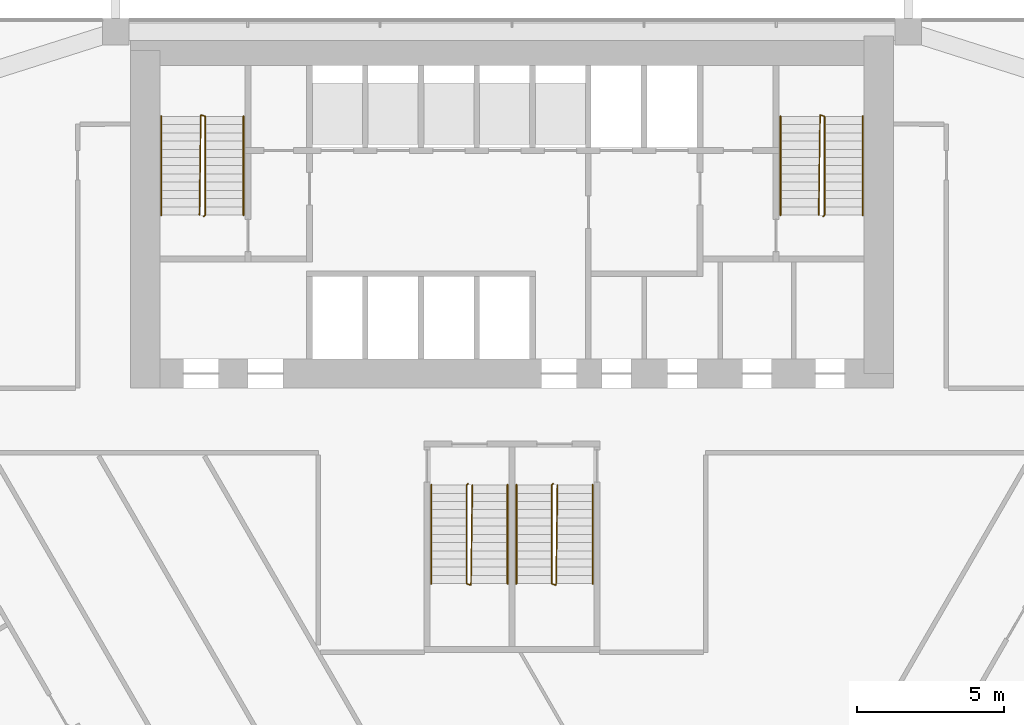
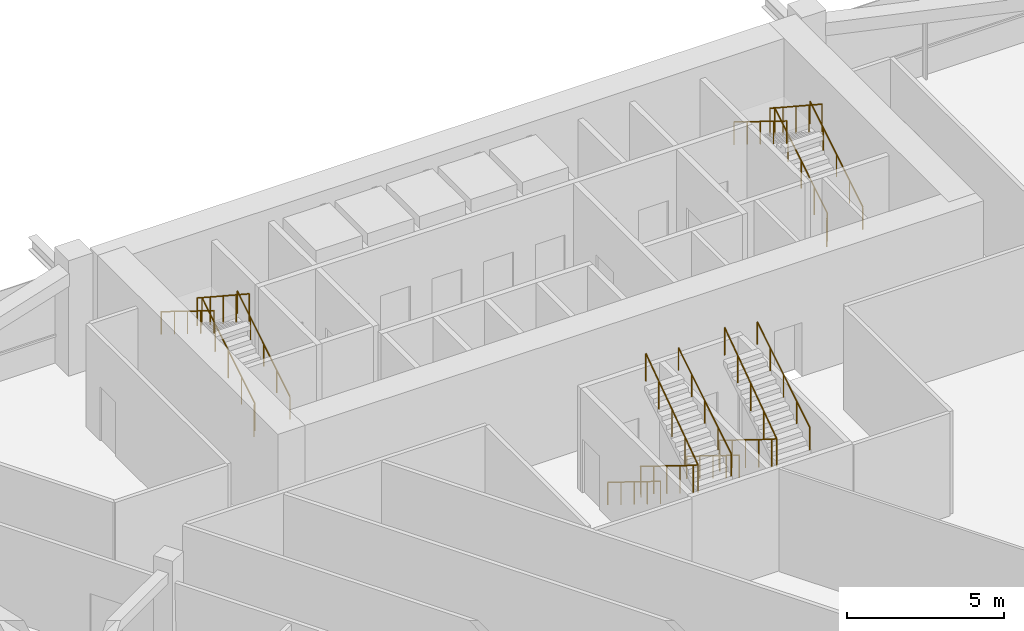
# One storey, part 13 of 15: 12 railings.
"""IFC4 building model written with IfcOpenShell, lengths in metres."""

from ifc_helpers import new_model, si_unit, direction, frame, origin, origin_2d, place, context, subcontext, project, spatial, circle, extrude, material, type_object, element, save


model = new_model("IFC4")

# Units and contexts
model_context = context("Model", 3, precision=1e-05, world=origin(), true_north=direction((0.0, 1.0)))
body_context = subcontext(model_context, "Body", "Model", "MODEL_VIEW")
ifc_project = project(units=[si_unit("LENGTHUNIT", "METRE"), si_unit("AREAUNIT", "SQUARE_METRE"), si_unit("VOLUMEUNIT", "CUBIC_METRE"), si_unit("PLANEANGLEUNIT", "RADIAN"), si_unit("MASSUNIT", "GRAM", prefix="KILO")], contexts=[model_context])

# Site, building, storey
site_placement = place(None, origin())
site = spatial("IfcSite", under=ifc_project, at=site_placement, CompositionType="ELEMENT")
building_placement = place(site_placement, origin())
building = spatial("IfcBuilding", under=site, at=building_placement, Name="Altiplano Prism Tower", CompositionType="ELEMENT")
storey_placement = place(building_placement, frame((0.0, 0.0, 22.5)))
storey = spatial("IfcBuildingStorey", under=building, at=storey_placement, Name="L04", CompositionType="ELEMENT", Elevation=22.5)

# Railings
ifc_material = material(Name="Steel S355", Category="steel")
railing_type_1 = type_object("IfcRailingType", Name="Stair guard 1100", PredefinedType="GUARDRAIL", material=ifc_material)
railing_1_placement = place(storey_placement, frame((74.5, 98.25, 0.0)))
element("IfcRailing", 1, at=railing_1_placement, inside=storey, type_object=railing_type_1, Name="L04 ST1 stair guard 1", PredefinedType="GUARDRAIL", context=body_context, shape_type="SweptSolid", body=[
    extrude(circle(Radius=0.02392578125, at=origin_2d()), frame((0.0, 0.0, 1.076171875), z_axis=(0.267629722418, 0.267629722418, 0.925607186314), x_axis=(-0.707106781187, 0.707106781187, 0.0)), (0.0, 0.0, 1.0), 0.18701171875),
    extrude(circle(Radius=0.02392578125, at=origin_2d()), frame((0.050048828125, 0.050048828125, 1.2490234375), z_axis=(0.0, 0.850606129759, 0.525803396734), x_axis=(-1.0, 0.0, 0.0)), (0.0, 0.0, 1.0), 3.949951171875),
    extrude(circle(Radius=0.02392578125, at=origin_2d()), frame((0.050048828125, 3.409912109375, 3.326171875), z_axis=(-0.948683298051, 0.316227766017, 0.0), x_axis=(-0.316227766017, -0.948683298051, 0.0)), (0.0, 0.0, 1.0), 0.158203125),
    extrude(circle(Radius=0.02392578125, at=origin_2d()), frame((-0.10009765625, 3.4599609375, 3.326171875), z_axis=(-0.0121901703, -0.834608375372, 0.55070887001), x_axis=(0.999893351539, -0.01460429897, 0.0)), (0.0, 0.0, 1.0), 4.085693359375),
    extrude(circle(Radius=0.02099609375, at=origin_2d()), origin(), (0.0, 0.0, 1.0), 1.052001953125),
    extrude(circle(Radius=0.02099609375, at=origin_2d()), frame((0.050048828125, 0.050048828125, 0.173095703125)), (0.0, 0.0, 1.0), 1.052001953125),
    extrude(circle(Radius=0.02099609375, at=origin_2d()), frame((0.050048828125, 0.89013671875, 0.6923828125)), (0.0, 0.0, 1.0), 1.052001953125),
    extrude(circle(Radius=0.02099609375, at=origin_2d()), frame((0.050048828125, 1.72998046875, 1.21142578125)), (0.0, 0.0, 1.0), 1.052001953125),
    extrude(circle(Radius=0.02099609375, at=origin_2d()), frame((0.050048828125, 2.56982421875, 1.730712890625)), (0.0, 0.0, 1.0), 1.052001953125),
    extrude(circle(Radius=0.02099609375, at=origin_2d()), frame((0.050048828125, 3.409912109375, 2.25)), (0.0, 0.0, 1.0), 1.052001953125),
    extrude(circle(Radius=0.02099609375, at=origin_2d()), frame((-0.10009765625, 3.4599609375, 2.25)), (0.0, 0.0, 1.0), 1.052001953125),
    extrude(circle(Radius=0.02099609375, at=origin_2d()), frame((-0.112548828125, 2.607421875, 2.8125)), (0.0, 0.0, 1.0), 1.052001953125),
    extrude(circle(Radius=0.02099609375, at=origin_2d()), frame((-0.125, 1.7548828125, 3.375)), (0.0, 0.0, 1.0), 1.052001953125),
    extrude(circle(Radius=0.02099609375, at=origin_2d()), frame((-0.137451171875, 0.902587890625, 3.9375)), (0.0, 0.0, 1.0), 1.052001953125),
    extrude(circle(Radius=0.02099609375, at=origin_2d()), frame((-0.14990234375, 0.050048828125, 4.5)), (0.0, 0.0, 1.0), 1.052001953125),
])
railing_2_placement = place(storey_placement, frame((95.60009765625, 98.25, 0.0)))
element("IfcRailing", 2, at=railing_2_placement, inside=storey, type_object=railing_type_1, Name="L04 ST2 stair guard 1", PredefinedType="GUARDRAIL", context=body_context, shape_type="SweptSolid", body=[
    extrude(circle(Radius=0.02392578125, at=origin_2d()), frame((0.0, 0.0, 1.076171875), z_axis=(0.266417085129, 0.267723051232, 0.925929967433), x_axis=(-0.708833529934, 0.705375805398, 0.0)), (0.0, 0.0, 1.0), 0.18701171875),
    extrude(circle(Radius=0.02392578125, at=origin_2d()), frame((0.0498046875, 0.050048828125, 1.2490234375), z_axis=(0.0, 0.850606129759, 0.525803396734), x_axis=(-1.0, 0.0, 0.0)), (0.0, 0.0, 1.0), 3.949951171875),
    extrude(circle(Radius=0.02392578125, at=origin_2d()), frame((0.0498046875, 3.409912109375, 3.326171875), z_axis=(-0.948528701346, 0.316691178788, 0.0), x_axis=(-0.316691178788, -0.948528701346, 0.0)), (0.0, 0.0, 1.0), 0.157958984375),
    extrude(circle(Radius=0.02392578125, at=origin_2d()), frame((-0.10009765625, 3.4599609375, 3.326171875), z_axis=(-0.012249917091, -0.834607765926, 0.550708467873), x_axis=(0.999892303572, -0.014675873289, 0.0)), (0.0, 0.0, 1.0), 4.085693359375),
    extrude(circle(Radius=0.02099609375, at=origin_2d()), origin(), (0.0, 0.0, 1.0), 1.052001953125),
    extrude(circle(Radius=0.02099609375, at=origin_2d()), frame((0.0498046875, 0.050048828125, 0.173095703125)), (0.0, 0.0, 1.0), 1.052001953125),
    extrude(circle(Radius=0.02099609375, at=origin_2d()), frame((0.0498046875, 0.89013671875, 0.6923828125)), (0.0, 0.0, 1.0), 1.052001953125),
    extrude(circle(Radius=0.02099609375, at=origin_2d()), frame((0.0498046875, 1.72998046875, 1.21142578125)), (0.0, 0.0, 1.0), 1.052001953125),
    extrude(circle(Radius=0.02099609375, at=origin_2d()), frame((0.0498046875, 2.56982421875, 1.730712890625)), (0.0, 0.0, 1.0), 1.052001953125),
    extrude(circle(Radius=0.02099609375, at=origin_2d()), frame((0.0498046875, 3.409912109375, 2.25)), (0.0, 0.0, 1.0), 1.052001953125),
    extrude(circle(Radius=0.02099609375, at=origin_2d()), frame((-0.10009765625, 3.4599609375, 2.25)), (0.0, 0.0, 1.0), 1.052001953125),
    extrude(circle(Radius=0.02099609375, at=origin_2d()), frame((-0.112548828125, 2.607421875, 2.8125)), (0.0, 0.0, 1.0), 1.052001953125),
    extrude(circle(Radius=0.02099609375, at=origin_2d()), frame((-0.125, 1.7548828125, 3.375)), (0.0, 0.0, 1.0), 1.052001953125),
    extrude(circle(Radius=0.02099609375, at=origin_2d()), frame((-0.1376953125, 0.902587890625, 3.9375)), (0.0, 0.0, 1.0), 1.052001953125),
    extrude(circle(Radius=0.02099609375, at=origin_2d()), frame((-0.150146484375, 0.050048828125, 4.5)), (0.0, 0.0, 1.0), 1.052001953125),
])
railing_3_placement = place(storey_placement, frame((83.5, 89.14990234375, 0.0)))
element("IfcRailing", 3, at=railing_3_placement, inside=storey, type_object=railing_type_1, Name="L04 ST3A stair guard 1", PredefinedType="GUARDRAIL", context=body_context, shape_type="SweptSolid", body=[
    extrude(circle(Radius=0.02392578125, at=origin_2d()), frame((0.0, 0.0, 1.076171875), z_axis=(-0.267723051232, -0.266417085129, 0.925929967433), x_axis=(0.705375805398, -0.708833529934, 0.0)), (0.0, 0.0, 1.0), 0.18701171875),
    extrude(circle(Radius=0.02392578125, at=origin_2d()), frame((-0.050048828125, -0.0498046875, 1.2490234375), z_axis=(0.0, -0.850623216509, 0.525775754039), x_axis=(1.0, 0.0, 0.0)), (0.0, 0.0, 1.0), 3.9501953125),
    extrude(circle(Radius=0.02392578125, at=origin_2d()), frame((-0.050048828125, -3.409912109375, 3.326171875), z_axis=(0.948683298051, -0.316227766017, 0.0), x_axis=(0.316227766017, 0.948683298051, 0.0)), (0.0, 0.0, 1.0), 0.158203125),
    extrude(circle(Radius=0.02392578125, at=origin_2d()), frame((0.10009765625, -3.4599609375, 3.326171875), z_axis=(0.012189562367, 0.83462650563, 0.550681405777), x_axis=(-0.999893366806, 0.014603253639, 0.0)), (0.0, 0.0, 1.0), 4.0859375),
    extrude(circle(Radius=0.02099609375, at=origin_2d()), origin(), (0.0, 0.0, 1.0), 1.052001953125),
    extrude(circle(Radius=0.02099609375, at=origin_2d()), frame((-0.050048828125, -0.0498046875, 0.173095703125)), (0.0, 0.0, 1.0), 1.052001953125),
    extrude(circle(Radius=0.02099609375, at=origin_2d()), frame((-0.050048828125, -0.889892578125, 0.6923828125)), (0.0, 0.0, 1.0), 1.052001953125),
    extrude(circle(Radius=0.02099609375, at=origin_2d()), frame((-0.050048828125, -1.72998046875, 1.21142578125)), (0.0, 0.0, 1.0), 1.052001953125),
    extrude(circle(Radius=0.02099609375, at=origin_2d()), frame((-0.050048828125, -2.56982421875, 1.730712890625)), (0.0, 0.0, 1.0), 1.052001953125),
    extrude(circle(Radius=0.02099609375, at=origin_2d()), frame((-0.050048828125, -3.409912109375, 2.25)), (0.0, 0.0, 1.0), 1.052001953125),
    extrude(circle(Radius=0.02099609375, at=origin_2d()), frame((0.10009765625, -3.4599609375, 2.25)), (0.0, 0.0, 1.0), 1.052001953125),
    extrude(circle(Radius=0.02099609375, at=origin_2d()), frame((0.112548828125, -2.607421875, 2.8125)), (0.0, 0.0, 1.0), 1.052001953125),
    extrude(circle(Radius=0.02099609375, at=origin_2d()), frame((0.125, -1.7548828125, 3.375)), (0.0, 0.0, 1.0), 1.052001953125),
    extrude(circle(Radius=0.02099609375, at=origin_2d()), frame((0.137451171875, -0.90234375, 3.9375)), (0.0, 0.0, 1.0), 1.052001953125),
    extrude(circle(Radius=0.02099609375, at=origin_2d()), frame((0.14990234375, -0.0498046875, 4.5)), (0.0, 0.0, 1.0), 1.052001953125),
])
railing_4_placement = place(storey_placement, frame((86.39990234375, 89.14990234375, 0.0)))
element("IfcRailing", 4, at=railing_4_placement, inside=storey, type_object=railing_type_1, Name="L04 ST3B stair guard 1", PredefinedType="GUARDRAIL", context=body_context, shape_type="SweptSolid", body=[
    extrude(circle(Radius=0.02392578125, at=origin_2d()), frame((0.0, 0.0, 1.076171875), z_axis=(-0.26651005591, -0.26651005591, 0.926253086471), x_axis=(0.707106781187, -0.707106781187, 0.0)), (0.0, 0.0, 1.0), 0.186767578125),
    extrude(circle(Radius=0.02392578125, at=origin_2d()), frame((-0.0498046875, -0.0498046875, 1.2490234375), z_axis=(0.0, -0.850623216509, 0.525775754039), x_axis=(1.0, 0.0, 0.0)), (0.0, 0.0, 1.0), 3.9501953125),
    extrude(circle(Radius=0.02392578125, at=origin_2d()), frame((-0.0498046875, -3.409912109375, 3.326171875), z_axis=(0.948528701346, -0.316691178788, 0.0), x_axis=(0.316691178788, 0.948528701346, 0.0)), (0.0, 0.0, 1.0), 0.157958984375),
    extrude(circle(Radius=0.02392578125, at=origin_2d()), frame((0.10009765625, -3.4599609375, 3.326171875), z_axis=(0.01224930618, 0.834625896233, 0.5506810037), x_axis=(-0.99989231899, 0.014674822837, 0.0)), (0.0, 0.0, 1.0), 4.0859375),
    extrude(circle(Radius=0.02099609375, at=origin_2d()), origin(), (0.0, 0.0, 1.0), 1.052001953125),
    extrude(circle(Radius=0.02099609375, at=origin_2d()), frame((-0.0498046875, -0.0498046875, 0.173095703125)), (0.0, 0.0, 1.0), 1.052001953125),
    extrude(circle(Radius=0.02099609375, at=origin_2d()), frame((-0.0498046875, -0.889892578125, 0.6923828125)), (0.0, 0.0, 1.0), 1.052001953125),
    extrude(circle(Radius=0.02099609375, at=origin_2d()), frame((-0.0498046875, -1.72998046875, 1.21142578125)), (0.0, 0.0, 1.0), 1.052001953125),
    extrude(circle(Radius=0.02099609375, at=origin_2d()), frame((-0.0498046875, -2.56982421875, 1.730712890625)), (0.0, 0.0, 1.0), 1.052001953125),
    extrude(circle(Radius=0.02099609375, at=origin_2d()), frame((-0.0498046875, -3.409912109375, 2.25)), (0.0, 0.0, 1.0), 1.052001953125),
    extrude(circle(Radius=0.02099609375, at=origin_2d()), frame((0.10009765625, -3.4599609375, 2.25)), (0.0, 0.0, 1.0), 1.052001953125),
    extrude(circle(Radius=0.02099609375, at=origin_2d()), frame((0.112548828125, -2.607421875, 2.8125)), (0.0, 0.0, 1.0), 1.052001953125),
    extrude(circle(Radius=0.02099609375, at=origin_2d()), frame((0.125, -1.7548828125, 3.375)), (0.0, 0.0, 1.0), 1.052001953125),
    extrude(circle(Radius=0.02099609375, at=origin_2d()), frame((0.1376953125, -0.90234375, 3.9375)), (0.0, 0.0, 1.0), 1.052001953125),
    extrude(circle(Radius=0.02099609375, at=origin_2d()), frame((0.150146484375, -0.0498046875, 4.5)), (0.0, 0.0, 1.0), 1.052001953125),
])
railing_type_2 = type_object("IfcRailingType", Name="Stair handrail 900", PredefinedType="HANDRAIL", material=ifc_material)
railing_5_placement = place(storey_placement, frame((75.85009765625, 98.300048828125, 0.173095703125)))
element("IfcRailing", 5, at=railing_5_placement, inside=storey, type_object=railing_type_2, Name="L04 ST1 stair handrail 1", PredefinedType="HANDRAIL", context=body_context, shape_type="SweptSolid", body=[
    extrude(circle(Radius=0.02392578125, at=origin_2d()), frame((0.0, 0.0, 0.8759765625), z_axis=(0.0, 0.850606129759, 0.525803396734), x_axis=(-1.0, 0.0, 0.0)), (0.0, 0.0, 1.0), 3.949951171875),
    extrude(circle(Radius=0.02099609375, at=origin_2d()), origin(), (0.0, 0.0, 1.0), 0.851806640625),
    extrude(circle(Radius=0.02099609375, at=origin_2d()), frame((0.0, 0.83984375, 0.519287109375)), (0.0, 0.0, 1.0), 0.851806640625),
    extrude(circle(Radius=0.02099609375, at=origin_2d()), frame((0.0, 1.679931640625, 1.03857421875)), (0.0, 0.0, 1.0), 0.851806640625),
    extrude(circle(Radius=0.02099609375, at=origin_2d()), frame((0.0, 2.52001953125, 1.5576171875)), (0.0, 0.0, 1.0), 0.851806640625),
    extrude(circle(Radius=0.02099609375, at=origin_2d()), frame((0.0, 3.35986328125, 2.076904296875)), (0.0, 0.0, 1.0), 0.851806640625),
])
railing_6_placement = place(storey_placement, frame((73.050048828125, 101.659912109375, 2.423095703125)))
element("IfcRailing", 6, at=railing_6_placement, inside=storey, type_object=railing_type_2, Name="L04 ST1 stair handrail 2", PredefinedType="HANDRAIL", context=body_context, shape_type="SweptSolid", body=[
    extrude(circle(Radius=0.02392578125, at=origin_2d()), frame((0.0, 0.0, 0.8759765625), z_axis=(0.0, -0.850606129759, 0.525803396734), x_axis=(1.0, 0.0, 0.0)), (0.0, 0.0, 1.0), 3.949951171875),
    extrude(circle(Radius=0.02099609375, at=origin_2d()), origin(), (0.0, 0.0, 1.0), 0.851806640625),
    extrude(circle(Radius=0.02099609375, at=origin_2d()), frame((0.0, -0.83984375, 0.519287109375)), (0.0, 0.0, 1.0), 0.851806640625),
    extrude(circle(Radius=0.02099609375, at=origin_2d()), frame((0.0, -1.679931640625, 1.03857421875)), (0.0, 0.0, 1.0), 0.851806640625),
    extrude(circle(Radius=0.02099609375, at=origin_2d()), frame((0.0, -2.52001953125, 1.5576171875)), (0.0, 0.0, 1.0), 0.851806640625),
    extrude(circle(Radius=0.02099609375, at=origin_2d()), frame((0.0, -3.35986328125, 2.076904296875)), (0.0, 0.0, 1.0), 0.851806640625),
])
railing_7_placement = place(storey_placement, frame((96.949951171875, 98.300048828125, 0.173095703125)))
element("IfcRailing", 7, at=railing_7_placement, inside=storey, type_object=railing_type_2, Name="L04 ST2 stair handrail 1", PredefinedType="HANDRAIL", context=body_context, shape_type="SweptSolid", body=[
    extrude(circle(Radius=0.02392578125, at=origin_2d()), frame((0.0, 0.0, 0.8759765625), z_axis=(0.0, 0.850606129759, 0.525803396734), x_axis=(-1.0, 0.0, 0.0)), (0.0, 0.0, 1.0), 3.949951171875),
    extrude(circle(Radius=0.02099609375, at=origin_2d()), origin(), (0.0, 0.0, 1.0), 0.851806640625),
    extrude(circle(Radius=0.02099609375, at=origin_2d()), frame((0.0, 0.83984375, 0.519287109375)), (0.0, 0.0, 1.0), 0.851806640625),
    extrude(circle(Radius=0.02099609375, at=origin_2d()), frame((0.0, 1.679931640625, 1.03857421875)), (0.0, 0.0, 1.0), 0.851806640625),
    extrude(circle(Radius=0.02099609375, at=origin_2d()), frame((0.0, 2.52001953125, 1.5576171875)), (0.0, 0.0, 1.0), 0.851806640625),
    extrude(circle(Radius=0.02099609375, at=origin_2d()), frame((0.0, 3.35986328125, 2.076904296875)), (0.0, 0.0, 1.0), 0.851806640625),
])
railing_8_placement = place(storey_placement, frame((94.14990234375, 101.659912109375, 2.423095703125)))
element("IfcRailing", 8, at=railing_8_placement, inside=storey, type_object=railing_type_2, Name="L04 ST2 stair handrail 2", PredefinedType="HANDRAIL", context=body_context, shape_type="SweptSolid", body=[
    extrude(circle(Radius=0.02392578125, at=origin_2d()), frame((0.0, 0.0, 0.8759765625), z_axis=(0.0, -0.850606129759, 0.525803396734), x_axis=(1.0, 0.0, 0.0)), (0.0, 0.0, 1.0), 3.949951171875),
    extrude(circle(Radius=0.02099609375, at=origin_2d()), origin(), (0.0, 0.0, 1.0), 0.851806640625),
    extrude(circle(Radius=0.02099609375, at=origin_2d()), frame((0.0, -0.83984375, 0.519287109375)), (0.0, 0.0, 1.0), 0.851806640625),
    extrude(circle(Radius=0.02099609375, at=origin_2d()), frame((0.0, -1.679931640625, 1.03857421875)), (0.0, 0.0, 1.0), 0.851806640625),
    extrude(circle(Radius=0.02099609375, at=origin_2d()), frame((0.0, -2.52001953125, 1.5576171875)), (0.0, 0.0, 1.0), 0.851806640625),
    extrude(circle(Radius=0.02099609375, at=origin_2d()), frame((0.0, -3.35986328125, 2.076904296875)), (0.0, 0.0, 1.0), 0.851806640625),
])
railing_9_placement = place(storey_placement, frame((82.25, 89.10009765625, 0.173095703125)))
element("IfcRailing", 9, at=railing_9_placement, inside=storey, type_object=railing_type_2, Name="L04 ST3A stair handrail 1", PredefinedType="HANDRAIL", context=body_context, shape_type="SweptSolid", body=[
    extrude(circle(Radius=0.02392578125, at=origin_2d()), frame((0.0, 0.0, 0.8759765625), z_axis=(0.0, -0.850623216509, 0.525775754039), x_axis=(1.0, 0.0, 0.0)), (0.0, 0.0, 1.0), 3.9501953125),
    extrude(circle(Radius=0.02099609375, at=origin_2d()), origin(), (0.0, 0.0, 1.0), 0.851806640625),
    extrude(circle(Radius=0.02099609375, at=origin_2d()), frame((0.0, -0.840087890625, 0.519287109375)), (0.0, 0.0, 1.0), 0.851806640625),
    extrude(circle(Radius=0.02099609375, at=origin_2d()), frame((0.0, -1.68017578125, 1.03857421875)), (0.0, 0.0, 1.0), 0.851806640625),
    extrude(circle(Radius=0.02099609375, at=origin_2d()), frame((0.0, -2.52001953125, 1.5576171875)), (0.0, 0.0, 1.0), 0.851806640625),
    extrude(circle(Radius=0.02099609375, at=origin_2d()), frame((0.0, -3.360107421875, 2.076904296875)), (0.0, 0.0, 1.0), 0.851806640625),
])
railing_10_placement = place(storey_placement, frame((84.85009765625, 85.739990234375, 2.423095703125)))
element("IfcRailing", 10, at=railing_10_placement, inside=storey, type_object=railing_type_2, Name="L04 ST3A stair handrail 2", PredefinedType="HANDRAIL", context=body_context, shape_type="SweptSolid", body=[
    extrude(circle(Radius=0.02392578125, at=origin_2d()), frame((0.0, 0.0, 0.8759765625), z_axis=(0.0, 0.850623216509, 0.525775754039), x_axis=(-1.0, 0.0, 0.0)), (0.0, 0.0, 1.0), 3.9501953125),
    extrude(circle(Radius=0.02099609375, at=origin_2d()), origin(), (0.0, 0.0, 1.0), 0.851806640625),
    extrude(circle(Radius=0.02099609375, at=origin_2d()), frame((0.0, 0.840087890625, 0.519287109375)), (0.0, 0.0, 1.0), 0.851806640625),
    extrude(circle(Radius=0.02099609375, at=origin_2d()), frame((0.0, 1.68017578125, 1.03857421875)), (0.0, 0.0, 1.0), 0.851806640625),
    extrude(circle(Radius=0.02099609375, at=origin_2d()), frame((0.0, 2.52001953125, 1.5576171875)), (0.0, 0.0, 1.0), 0.851806640625),
    extrude(circle(Radius=0.02099609375, at=origin_2d()), frame((0.0, 3.360107421875, 2.076904296875)), (0.0, 0.0, 1.0), 0.851806640625),
])
railing_11_placement = place(storey_placement, frame((85.14990234375, 89.10009765625, 0.173095703125)))
element("IfcRailing", 11, at=railing_11_placement, inside=storey, type_object=railing_type_2, Name="L04 ST3B stair handrail 1", PredefinedType="HANDRAIL", context=body_context, shape_type="SweptSolid", body=[
    extrude(circle(Radius=0.02392578125, at=origin_2d()), frame((0.0, 0.0, 0.8759765625), z_axis=(0.0, -0.850623216509, 0.525775754039), x_axis=(1.0, 0.0, 0.0)), (0.0, 0.0, 1.0), 3.9501953125),
    extrude(circle(Radius=0.02099609375, at=origin_2d()), origin(), (0.0, 0.0, 1.0), 0.851806640625),
    extrude(circle(Radius=0.02099609375, at=origin_2d()), frame((0.0, -0.840087890625, 0.519287109375)), (0.0, 0.0, 1.0), 0.851806640625),
    extrude(circle(Radius=0.02099609375, at=origin_2d()), frame((0.0, -1.68017578125, 1.03857421875)), (0.0, 0.0, 1.0), 0.851806640625),
    extrude(circle(Radius=0.02099609375, at=origin_2d()), frame((0.0, -2.52001953125, 1.5576171875)), (0.0, 0.0, 1.0), 0.851806640625),
    extrude(circle(Radius=0.02099609375, at=origin_2d()), frame((0.0, -3.360107421875, 2.076904296875)), (0.0, 0.0, 1.0), 0.851806640625),
])
railing_12_placement = place(storey_placement, frame((87.75, 85.739990234375, 2.423095703125)))
element("IfcRailing", 12, at=railing_12_placement, inside=storey, type_object=railing_type_2, Name="L04 ST3B stair handrail 2", PredefinedType="HANDRAIL", context=body_context, shape_type="SweptSolid", body=[
    extrude(circle(Radius=0.02392578125, at=origin_2d()), frame((0.0, 0.0, 0.8759765625), z_axis=(0.0, 0.850623216509, 0.525775754039), x_axis=(-1.0, 0.0, 0.0)), (0.0, 0.0, 1.0), 3.9501953125),
    extrude(circle(Radius=0.02099609375, at=origin_2d()), origin(), (0.0, 0.0, 1.0), 0.851806640625),
    extrude(circle(Radius=0.02099609375, at=origin_2d()), frame((0.0, 0.840087890625, 0.519287109375)), (0.0, 0.0, 1.0), 0.851806640625),
    extrude(circle(Radius=0.02099609375, at=origin_2d()), frame((0.0, 1.68017578125, 1.03857421875)), (0.0, 0.0, 1.0), 0.851806640625),
    extrude(circle(Radius=0.02099609375, at=origin_2d()), frame((0.0, 2.52001953125, 1.5576171875)), (0.0, 0.0, 1.0), 0.851806640625),
    extrude(circle(Radius=0.02099609375, at=origin_2d()), frame((0.0, 3.360107421875, 2.076904296875)), (0.0, 0.0, 1.0), 0.851806640625),
])

save(model, "model.ifc")
